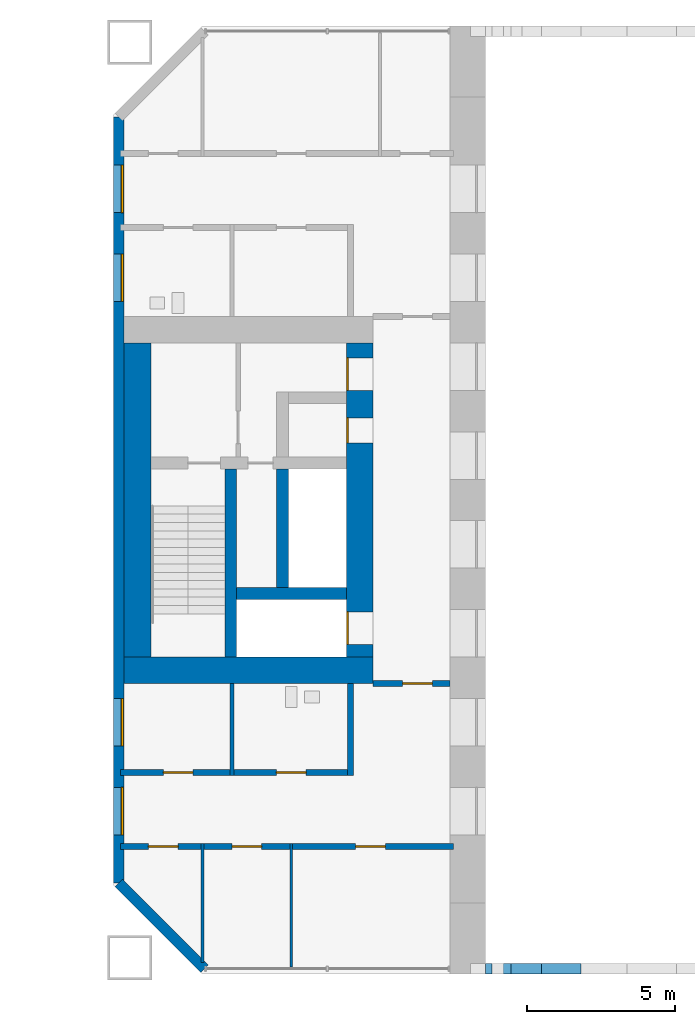
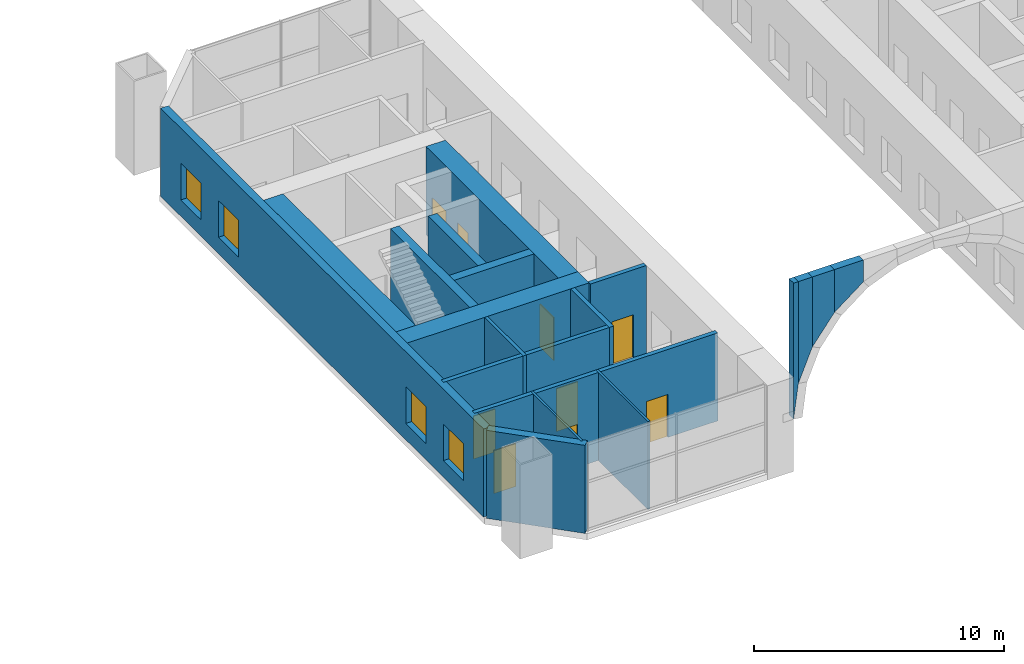
# One storey, part 14 of 21: 19 walls, 9 doors, 4 windows, 13 openings.
"""IFC4 building model written with IfcOpenShell, lengths in metres."""

from ifc_helpers import new_model, si_unit, direction, frame, frame_2d, origin, place, context, subcontext, project, spatial, polyline, rectangle, outline, extrude, material, layer, layer_set, type_object, element, fill, save


model = new_model("IFC4")

# Units and contexts
model_context = context("Model", 3, precision=1e-05, world=origin(), true_north=direction((0.0, 1.0)))
body_context = subcontext(model_context, "Body", "Model", "MODEL_VIEW")
ifc_project = project(units=[si_unit("LENGTHUNIT", "METRE"), si_unit("AREAUNIT", "SQUARE_METRE"), si_unit("VOLUMEUNIT", "CUBIC_METRE"), si_unit("PLANEANGLEUNIT", "RADIAN"), si_unit("MASSUNIT", "GRAM", prefix="KILO")], contexts=[model_context])

# Site, building, storey
site_placement = place(None, origin())
site = spatial("IfcSite", under=ifc_project, at=site_placement, CompositionType="ELEMENT")
building_placement = place(site_placement, origin())
building = spatial("IfcBuilding", under=site, at=building_placement, Name="Tuart Gate Housing", CompositionType="ELEMENT")
storey_placement = place(building_placement, frame((0.0, 0.0, 5.5)))
storey = spatial("IfcBuildingStorey", under=building, at=storey_placement, Name="L01", CompositionType="ELEMENT", Elevation=5.5)

# Walls
ifc_material_1 = material(Name="Gypsum board on steel studs", Category="steel")
ifc_layer_1 = layer(ifc_material_1, 0.14990234375)
ifc_layer_set_1 = layer_set([ifc_layer_1], Name="Bathroom wall 150")
wall_type_1 = type_object("IfcWallType", Name="Bathroom wall 150", PredefinedType="PLUMBINGWALL", material=ifc_layer_set_1)
wall_1_placement = place(storey_placement, frame((135.0, 60.699951171875, 0.0), z_axis=(0.0, 0.0, 1.0), x_axis=(0.0, 1.0, 0.0)))
element("IfcWall", 1, at=wall_1_placement, inside=storey, type_object=wall_type_1, Name="Bathroom wall 150", PredefinedType="PLUMBINGWALL", context=body_context, shape_type="SweptSolid", body=[
    extrude(rectangle(XDim=3.10009765625, YDim=0.14990234375, at=frame_2d((1.550048828125, 0.0))), origin(), (0.0, 0.0, 1.0), 4.300048828125),
])
ifc_material_2 = material(Name="Brick", Category="masonry")
ifc_layer_2 = layer(ifc_material_2, 0.360107421875)
ifc_layer_set_2 = layer_set([ifc_layer_2], Name="Brick pier and spandrel wall 360")
wall_type_2 = type_object("IfcWallType", Name="Brick pier and spandrel wall 360", PredefinedType="STANDARD", material=ifc_layer_set_2)
wall_2_placement = place(storey_placement, frame((131.179931640625, 57.07470703125, 0.0), z_axis=(0.0, 0.0, 1.0), x_axis=(0.707106781187, -0.707106781187, 0.0)))
element("IfcWall", 2, at=wall_2_placement, inside=storey, type_object=wall_type_2, Name="External wall B-SW L01", PredefinedType="STANDARD", context=body_context, shape_type="SweptSolid", body=[
    extrude(rectangle(XDim=4.09375, YDim=0.360107421875, at=frame_2d((2.046875, 0.0))), origin(), (0.0, 0.0, 1.0), 4.300048828125),
])

# Wall, openings, windows
wall_3_placement = place(storey_placement, frame((131.179931640625, 82.92529296875, 0.0), z_axis=(0.0, 0.0, 1.0), x_axis=(0.0, -1.0, 0.0)))
wall_3 = element("IfcWall", 3, at=wall_3_placement, inside=storey, type_object=wall_type_2, Name="External wall B-W L01", PredefinedType="STANDARD", context=body_context, shape_type="SweptSolid", body=[
    extrude(rectangle(XDim=25.850830078125, YDim=0.360107421875, at=frame_2d((12.92529296875, 0.0))), origin(), (0.0, 0.0, 1.0), 4.300048828125),
])
opening_1_placement = place(wall_3_placement, frame((1.62548828125, 0.0, 0.800048828125)))
opening_1 = element("IfcOpeningElement", 4, at=opening_1_placement, cuts=wall_3, Name="Opening W1", PredefinedType="OPENING", context=body_context, shape_type="SweptSolid", body=[
    extrude(rectangle(XDim=1.60009765625, YDim=1.800048828125, at=frame_2d((0.800048828125, 0.89990234375))), frame((0.0, 0.18994140625, 0.0), z_axis=(0.0, -1.0, 0.0), x_axis=(1.0, 0.0, 0.0)), (0.0, 0.0, 1.0), 0.380126953125),
])
opening_2_placement = place(wall_3_placement, frame((4.62548828125, 0.0, 0.800048828125)))
opening_2 = element("IfcOpeningElement", 5, at=opening_2_placement, cuts=wall_3, Name="Opening W1", PredefinedType="OPENING", context=body_context, shape_type="SweptSolid", body=[
    extrude(rectangle(XDim=1.60009765625, YDim=1.800048828125, at=frame_2d((0.800048828125, 0.89990234375))), frame((0.0, 0.18994140625, 0.0), z_axis=(0.0, -1.0, 0.0), x_axis=(1.0, 0.0, 0.0)), (0.0, 0.0, 1.0), 0.380126953125),
])
opening_3_placement = place(wall_3_placement, frame((19.62548828125, 0.0, 0.800048828125)))
opening_3 = element("IfcOpeningElement", 6, at=opening_3_placement, cuts=wall_3, Name="Opening W1", PredefinedType="OPENING", context=body_context, shape_type="SweptSolid", body=[
    extrude(rectangle(XDim=1.60009765625, YDim=1.800048828125, at=frame_2d((0.800048828125, 0.89990234375))), frame((0.0, 0.18994140625, 0.0), z_axis=(0.0, -1.0, 0.0), x_axis=(1.0, 0.0, 0.0)), (0.0, 0.0, 1.0), 0.380126953125),
])
opening_4_placement = place(wall_3_placement, frame((22.62548828125, 0.0, 0.800048828125)))
opening_4 = element("IfcOpeningElement", 7, at=opening_4_placement, cuts=wall_3, Name="Opening W1", PredefinedType="OPENING", context=body_context, shape_type="SweptSolid", body=[
    extrude(rectangle(XDim=1.60009765625, YDim=1.800048828125, at=frame_2d((0.800048828125, 0.89990234375))), frame((0.0, 0.18994140625, 0.0), z_axis=(0.0, -1.0, 0.0), x_axis=(1.0, 0.0, 0.0)), (0.0, 0.0, 1.0), 0.380126953125),
])
ifc_material_3 = material(Name="Aluminium frame with clear glass", Category="aluminium")
window_type = type_object("IfcWindowType", Name="Punched window 1600 x 1800", PartitioningType="SINGLE_PANEL", PredefinedType="WINDOW", material=ifc_material_3)
window_1_placement = place(opening_1_placement, origin())
window_1 = element("IfcWindow", 8, at=window_1_placement, inside=storey, type_object=window_type, Name="Window W1", OverallHeight=1.800048828125, OverallWidth=1.60009765625, PartitioningType="SINGLE_PANEL", PredefinedType="WINDOW", context=body_context, shape_type="SweptSolid", body=[
    extrude(rectangle(XDim=1.60009765625, YDim=1.800048828125, at=frame_2d((0.800048828125, 0.89990234375))), frame((0.0, 0.150146484375, 0.0), z_axis=(0.0, -1.0, 0.0), x_axis=(1.0, 0.0, 0.0)), (0.0, 0.0, 1.0), 0.06005859375),
])
fill(opening_1, window_1)
window_2_placement = place(opening_2_placement, origin())
window_2 = element("IfcWindow", 9, at=window_2_placement, inside=storey, type_object=window_type, Name="Window W1", OverallHeight=1.800048828125, OverallWidth=1.60009765625, PartitioningType="SINGLE_PANEL", PredefinedType="WINDOW", context=body_context, shape_type="SweptSolid", body=[
    extrude(rectangle(XDim=1.60009765625, YDim=1.800048828125, at=frame_2d((0.800048828125, 0.89990234375))), frame((0.0, 0.150146484375, 0.0), z_axis=(0.0, -1.0, 0.0), x_axis=(1.0, 0.0, 0.0)), (0.0, 0.0, 1.0), 0.06005859375),
])
fill(opening_2, window_2)
window_3_placement = place(opening_3_placement, origin())
window_3 = element("IfcWindow", 10, at=window_3_placement, inside=storey, type_object=window_type, Name="Window W1", OverallHeight=1.800048828125, OverallWidth=1.60009765625, PartitioningType="SINGLE_PANEL", PredefinedType="WINDOW", context=body_context, shape_type="SweptSolid", body=[
    extrude(rectangle(XDim=1.60009765625, YDim=1.800048828125, at=frame_2d((0.800048828125, 0.89990234375))), frame((0.0, 0.150146484375, 0.0), z_axis=(0.0, -1.0, 0.0), x_axis=(1.0, 0.0, 0.0)), (0.0, 0.0, 1.0), 0.06005859375),
])
fill(opening_3, window_3)
window_4_placement = place(opening_4_placement, origin())
window_4 = element("IfcWindow", 11, at=window_4_placement, inside=storey, type_object=window_type, Name="Window W1", OverallHeight=1.800048828125, OverallWidth=1.60009765625, PartitioningType="SINGLE_PANEL", PredefinedType="WINDOW", context=body_context, shape_type="SweptSolid", body=[
    extrude(rectangle(XDim=1.60009765625, YDim=1.800048828125, at=frame_2d((0.800048828125, 0.89990234375))), frame((0.0, 0.150146484375, 0.0), z_axis=(0.0, -1.0, 0.0), x_axis=(1.0, 0.0, 0.0)), (0.0, 0.0, 1.0), 0.06005859375),
])
fill(opening_4, window_4)

# Walls
wall_4_placement = place(storey_placement, frame((143.550048828125, 54.179931640625, 2.25), z_axis=(0.0, 0.0, 1.0), x_axis=(1.0, 0.0, 0.0)))
element("IfcWall", 12, at=wall_4_placement, inside=storey, type_object=wall_type_2, Name="Arch spandrel B-S", PredefinedType="STANDARD", context=body_context, shape_type="SweptSolid", body=[
    extrude(outline(polyline([(0.0, 0.0), (0.2197265625, 1.66943359375), (0.2197265625, 6.64990234375), (0.0, 6.64990234375), (0.0, 0.0)])), frame((0.0, 0.18017578125, 0.0), z_axis=(0.0, -1.0, 0.0), x_axis=(1.0, 0.0, 0.0)), (0.0, 0.0, 1.0), 0.360107421875),
])
wall_5_placement = place(storey_placement, frame((143.769775390625, 54.179931640625, 3.91943359375), z_axis=(0.0, 0.0, 1.0), x_axis=(1.0, 0.0, 0.0)))
element("IfcWall", 13, at=wall_5_placement, inside=storey, type_object=wall_type_2, Name="Arch spandrel B-S", PredefinedType="STANDARD", context=body_context, shape_type="SweptSolid", body=[
    extrude(outline(polyline([(0.0, 0.0), (0.644287109375, 1.5556640625), (0.644287109375, 4.98046875), (0.0, 4.98046875), (0.0, 0.0)])), frame((0.0, 0.18017578125, 0.0), z_axis=(0.0, -1.0, 0.0), x_axis=(1.0, 0.0, 0.0)), (0.0, 0.0, 1.0), 0.360107421875),
])
wall_6_placement = place(storey_placement, frame((144.4140625, 54.179931640625, 5.47509765625), z_axis=(0.0, 0.0, 1.0), x_axis=(1.0, 0.0, 0.0)))
element("IfcWall", 14, at=wall_6_placement, inside=storey, type_object=wall_type_2, Name="Arch spandrel B-S", PredefinedType="STANDARD", context=body_context, shape_type="SweptSolid", body=[
    extrude(outline(polyline([(0.0, 0.0), (1.025146484375, 1.335693359375), (1.025146484375, 3.4248046875), (0.0, 3.4248046875), (0.0, 0.0)])), frame((0.0, 0.18017578125, 0.0), z_axis=(0.0, -1.0, 0.0), x_axis=(1.0, 0.0, 0.0)), (0.0, 0.0, 1.0), 0.360107421875),
])
wall_7_placement = place(storey_placement, frame((145.439208984375, 54.179931640625, 6.810791015625), z_axis=(0.0, 0.0, 1.0), x_axis=(1.0, 0.0, 0.0)))
element("IfcWall", 15, at=wall_7_placement, inside=storey, type_object=wall_type_2, Name="Arch spandrel B-S", PredefinedType="STANDARD", context=body_context, shape_type="SweptSolid", body=[
    extrude(outline(polyline([(0.0, 0.0), (1.335693359375, 1.025146484375), (1.335693359375, 2.089111328125), (0.0, 2.089111328125), (0.0, 0.0)])), frame((0.0, 0.18017578125, 0.0), z_axis=(0.0, -1.0, 0.0), x_axis=(1.0, 0.0, 0.0)), (0.0, 0.0, 1.0), 0.360107421875),
])
ifc_material_4 = material(Name="Concrete C60", Category="concrete")
ifc_layer_3 = layer(ifc_material_4, 0.39990234375)
ifc_layer_set_3 = layer_set([ifc_layer_3], Name="Core wall 400 C60")
wall_type_3 = type_object("IfcWallType", Name="Core wall 400 C60", PredefinedType="SHEAR", material=ifc_layer_set_3)
wall_8_placement = place(storey_placement, frame((138.860107421875, 66.85009765625, 0.0), z_axis=(0.0, 0.0, 1.0), x_axis=(-1.0, 0.0, 0.0)))
element("IfcWall", 16, at=wall_8_placement, inside=storey, type_object=wall_type_3, Name="Core wall BG.1", PredefinedType="SHEAR", context=body_context, shape_type="SweptSolid", body=[
    extrude(rectangle(XDim=3.7001953125, YDim=0.39990234375, at=frame_2d((1.85009765625, 0.0))), origin(), (0.0, 0.0, 1.0), 4.300048828125),
])
wall_9_placement = place(storey_placement, frame((136.7099609375, 67.050048828125, 0.0), z_axis=(0.0, 0.0, 1.0), x_axis=(0.0, 1.0, 0.0)))
element("IfcWall", 17, at=wall_9_placement, inside=storey, type_object=wall_type_3, Name="Core wall BG.4", PredefinedType="SHEAR", context=body_context, shape_type="SweptSolid", body=[
    extrude(rectangle(XDim=4.0, YDim=0.39990234375, at=frame_2d((2.0, 0.0))), origin(), (0.0, 0.0, 1.0), 4.300048828125),
])
wall_10_placement = place(storey_placement, frame((134.9599609375, 64.699951171875, 0.0), z_axis=(0.0, 0.0, 1.0), x_axis=(0.0, 1.0, 0.0)))
element("IfcWall", 18, at=wall_10_placement, inside=storey, type_object=wall_type_3, Name="Core wall BG.7", PredefinedType="SHEAR", context=body_context, shape_type="SweptSolid", body=[
    extrude(rectangle(XDim=6.35009765625, YDim=0.39990234375, at=frame_2d((3.175048828125, 0.0))), origin(), (0.0, 0.0, 1.0), 4.300048828125),
])

# Wall, openings, doors
ifc_material_5 = material(Name="Concrete C60", Category="concrete")
ifc_layer_4 = layer(ifc_material_5, 0.89990234375)
ifc_layer_set_4 = layer_set([ifc_layer_4], Name="Core wall 900 C60")
wall_type_4 = type_object("IfcWallType", Name="Core wall 900 C60", PredefinedType="SHEAR", material=ifc_layer_set_4)
wall_11_placement = place(storey_placement, frame((139.31005859375, 64.699951171875, 0.0), z_axis=(0.0, 0.0, 1.0), x_axis=(0.0, 1.0, 0.0)))
wall_11 = element("IfcWall", 19, at=wall_11_placement, inside=storey, type_object=wall_type_4, Name="Core wall BG front", PredefinedType="SHEAR", context=body_context, shape_type="SweptSolid", body=[
    extrude(rectangle(XDim=10.60009765625, YDim=0.89990234375, at=frame_2d((5.300048828125, 0.0))), origin(), (0.0, 0.0, 1.0), 4.300048828125),
])
opening_5_placement = place(wall_11_placement, frame((0.425048828125, 0.0, 0.0)))
opening_5 = element("IfcOpeningElement", 20, at=opening_5_placement, cuts=wall_11, Name="Opening LD-FB1", PredefinedType="OPENING", context=body_context, shape_type="SweptSolid", body=[
    extrude(rectangle(XDim=1.10009765625, YDim=2.10009765625, at=frame_2d((0.550048828125, 1.050048828125))), frame((0.0, 0.4599609375, 0.0), z_axis=(0.0, -1.0, 0.0), x_axis=(1.0, 0.0, 0.0)), (0.0, 0.0, 1.0), 0.919921875),
])
opening_6_placement = place(wall_11_placement, frame((9.0, 0.0, 0.0)))
opening_6 = element("IfcOpeningElement", 21, at=opening_6_placement, cuts=wall_11, Name="Opening D3148", PredefinedType="OPENING", context=body_context, shape_type="SweptSolid", body=[
    extrude(rectangle(XDim=1.10009765625, YDim=2.10009765625, at=frame_2d((0.550048828125, 1.050048828125))), frame((0.0, 0.4599609375, 0.0), z_axis=(0.0, -1.0, 0.0), x_axis=(1.0, 0.0, 0.0)), (0.0, 0.0, 1.0), 0.919921875),
])
opening_7_placement = place(wall_11_placement, frame((7.22509765625, 0.0, 0.0)))
opening_7 = element("IfcOpeningElement", 22, at=opening_7_placement, cuts=wall_11, Name="Opening D3149", PredefinedType="OPENING", context=body_context, shape_type="SweptSolid", body=[
    extrude(rectangle(XDim=0.85009765625, YDim=2.10009765625, at=frame_2d((0.425048828125, 1.050048828125))), frame((0.0, 0.4599609375, 0.0), z_axis=(0.0, -1.0, 0.0), x_axis=(1.0, 0.0, 0.0)), (0.0, 0.0, 1.0), 0.919921875),
])
ifc_material_6 = material(Name="Stainless steel", Category="steel")
door_type_1 = type_object("IfcDoorType", Name="Landing door 1100 x 2100", OperationType="DOUBLE_DOOR_SLIDING", PredefinedType="DOOR", material=ifc_material_6)
door_1_placement = place(opening_5_placement, origin())
door_1 = element("IfcDoor", 23, at=door_1_placement, inside=storey, type_object=door_type_1, Name="Lift landing door FB1", OperationType="DOUBLE_DOOR_SLIDING", OverallHeight=2.10009765625, OverallWidth=1.10009765625, PredefinedType="DOOR", context=body_context, shape_type="SweptSolid", body=[
    extrude(rectangle(XDim=1.10009765625, YDim=2.10009765625, at=frame_2d((0.550048828125, 1.050048828125))), frame((0.0, 0.43505859375, 0.0), z_axis=(0.0, -1.0, 0.0), x_axis=(1.0, 0.0, 0.0)), (0.0, 0.0, 1.0), 0.050048828125),
])
fill(opening_5, door_1)
ifc_material_7 = material(Name="Steel fire door", Category="steel")
door_type_2 = type_object("IfcDoorType", Name="Lobby door 1100 x 2100", OperationType="SINGLE_SWING_LEFT", PredefinedType="DOOR", material=ifc_material_7)
door_2_placement = place(opening_6_placement, origin())
door_2 = element("IfcDoor", 24, at=door_2_placement, inside=storey, type_object=door_type_2, Name="Lobby entry door BG.EN", OperationType="SINGLE_SWING_LEFT", OverallHeight=2.10009765625, OverallWidth=1.10009765625, PredefinedType="DOOR", context=body_context, shape_type="SweptSolid", body=[
    extrude(rectangle(XDim=1.10009765625, YDim=2.10009765625, at=frame_2d((0.550048828125, 1.050048828125))), frame((0.0, 0.43505859375, 0.0), z_axis=(0.0, -1.0, 0.0), x_axis=(1.0, 0.0, 0.0)), (0.0, 0.0, 1.0), 0.050048828125),
])
fill(opening_6, door_2)
ifc_material_8 = material(Name="Steel fire door", Category="steel")
door_type_3 = type_object("IfcDoorType", Name="Service door 850 x 2100", OperationType="SINGLE_SWING_LEFT", PredefinedType="DOOR", material=ifc_material_8)
door_3_placement = place(opening_7_placement, origin())
door_3 = element("IfcDoor", 25, at=door_3_placement, inside=storey, type_object=door_type_3, Name="Service room door BG.T1", OperationType="SINGLE_SWING_LEFT", OverallHeight=2.10009765625, OverallWidth=0.85009765625, PredefinedType="DOOR", context=body_context, shape_type="SweptSolid", body=[
    extrude(rectangle(XDim=0.85009765625, YDim=2.10009765625, at=frame_2d((0.425048828125, 1.050048828125))), frame((0.0, 0.43505859375, 0.0), z_axis=(0.0, -1.0, 0.0), x_axis=(1.0, 0.0, 0.0)), (0.0, 0.0, 1.0), 0.050048828125),
])
fill(opening_7, door_3)

# Walls
wall_12_placement = place(storey_placement, frame((131.81005859375, 64.699951171875, 0.0), z_axis=(0.0, 0.0, 1.0), x_axis=(0.0, 1.0, 0.0)))
element("IfcWall", 26, at=wall_12_placement, inside=storey, type_object=wall_type_4, Name="Core wall BG back", PredefinedType="SHEAR", context=body_context, shape_type="SweptSolid", body=[
    extrude(rectangle(XDim=10.60009765625, YDim=0.89990234375, at=frame_2d((5.300048828125, 0.0))), origin(), (0.0, 0.0, 1.0), 4.300048828125),
])
wall_13_placement = place(storey_placement, frame((139.760009765625, 64.25, 0.0), z_axis=(0.0, 0.0, 1.0), x_axis=(-1.0, 0.0, 0.0)))
element("IfcWall", 27, at=wall_13_placement, inside=storey, type_object=wall_type_4, Name="Core wall BG south", PredefinedType="SHEAR", context=body_context, shape_type="SweptSolid", body=[
    extrude(rectangle(XDim=8.39990234375, YDim=0.89990234375, at=frame_2d((4.199951171875, 0.0))), origin(), (0.0, 0.0, 1.0), 4.300048828125),
])

# Wall, openings, doors
ifc_material_9 = material(Name="Concrete masonry 15 MPa", Category="masonry")
ifc_layer_5 = layer(ifc_material_9, 0.199951171875)
ifc_layer_set_5 = layer_set([ifc_layer_5], Name="Corridor wall masonry 200")
wall_type_5 = type_object("IfcWallType", Name="Corridor wall masonry 200", PredefinedType="PARTITIONING", material=ifc_layer_set_5)
wall_14_placement = place(storey_placement, frame((131.239990234375, 58.300048828125, 0.0), z_axis=(0.0, 0.0, 1.0), x_axis=(1.0, 0.0, 0.0)))
wall_14 = element("IfcWall", 28, at=wall_14_placement, inside=storey, type_object=wall_type_5, Name="Corridor wall masonry 200", PredefinedType="PARTITIONING", context=body_context, shape_type="SweptSolid", body=[
    extrude(rectangle(XDim=11.22998046875, YDim=0.199951171875, at=frame_2d((5.614990234375, 0.0))), origin(), (0.0, 0.0, 1.0), 4.300048828125),
])
opening_8_placement = place(wall_14_placement, frame((0.93994140625, 0.0, 0.0)))
opening_8 = element("IfcOpeningElement", 29, at=opening_8_placement, cuts=wall_14, Name="Opening D3170", PredefinedType="OPENING", context=body_context, shape_type="SweptSolid", body=[
    extrude(rectangle(XDim=1.0, YDim=2.10009765625, at=frame_2d((0.5, 1.050048828125))), frame((0.0, 0.10986328125, 0.0), z_axis=(0.0, -1.0, 0.0), x_axis=(1.0, 0.0, 0.0)), (0.0, 0.0, 1.0), 0.219970703125),
])
opening_9_placement = place(wall_14_placement, frame((3.760009765625, 0.0, 0.0)))
opening_9 = element("IfcOpeningElement", 30, at=opening_9_placement, cuts=wall_14, Name="Opening D3171", PredefinedType="OPENING", context=body_context, shape_type="SweptSolid", body=[
    extrude(rectangle(XDim=1.0, YDim=2.10009765625, at=frame_2d((0.5, 1.050048828125))), frame((0.0, 0.10986328125, 0.0), z_axis=(0.0, -1.0, 0.0), x_axis=(1.0, 0.0, 0.0)), (0.0, 0.0, 1.0), 0.219970703125),
])
opening_10_placement = place(wall_14_placement, frame((7.93505859375, 0.0, 0.0)))
opening_10 = element("IfcOpeningElement", 31, at=opening_10_placement, cuts=wall_14, Name="Opening D3172", PredefinedType="OPENING", context=body_context, shape_type="SweptSolid", body=[
    extrude(rectangle(XDim=1.0, YDim=2.10009765625, at=frame_2d((0.5, 1.050048828125))), frame((0.0, 0.10986328125, 0.0), z_axis=(0.0, -1.0, 0.0), x_axis=(1.0, 0.0, 0.0)), (0.0, 0.0, 1.0), 0.219970703125),
])
ifc_material_10 = material(Name="Timber door leaf in steel frame", Category="steel")
door_type_4 = type_object("IfcDoorType", Name="Fire door 1000 RH", OperationType="SINGLE_SWING_RIGHT", PredefinedType="DOOR", material=ifc_material_10)
door_4_placement = place(opening_8_placement, frame((1.0, 0.0, 0.0), z_axis=(0.0, 0.0, 1.0), x_axis=(-1.0, 0.0, 0.0)))
door_4 = element("IfcDoor", 32, at=door_4_placement, inside=storey, type_object=door_type_4, Name="Fire door 1000", OperationType="SINGLE_SWING_RIGHT", OverallHeight=2.10009765625, OverallWidth=1.0, PredefinedType="DOOR", context=body_context, shape_type="SweptSolid", body=[
    extrude(rectangle(XDim=1.0, YDim=2.10009765625, at=frame_2d((0.5, 1.050048828125))), frame((0.0, 0.025146484375, 0.0), z_axis=(0.0, -1.0, 0.0), x_axis=(1.0, 0.0, 0.0)), (0.0, 0.0, 1.0), 0.050048828125),
])
fill(opening_8, door_4)
door_5_placement = place(opening_9_placement, frame((1.0, 0.0, 0.0), z_axis=(0.0, 0.0, 1.0), x_axis=(-1.0, 0.0, 0.0)))
door_5 = element("IfcDoor", 33, at=door_5_placement, inside=storey, type_object=door_type_4, Name="Fire door 1000", OperationType="SINGLE_SWING_RIGHT", OverallHeight=2.10009765625, OverallWidth=1.0, PredefinedType="DOOR", context=body_context, shape_type="SweptSolid", body=[
    extrude(rectangle(XDim=1.0, YDim=2.10009765625, at=frame_2d((0.5, 1.050048828125))), frame((0.0, 0.025146484375, 0.0), z_axis=(0.0, -1.0, 0.0), x_axis=(1.0, 0.0, 0.0)), (0.0, 0.0, 1.0), 0.050048828125),
])
fill(opening_9, door_5)
door_6_placement = place(opening_10_placement, frame((1.0, 0.0, 0.0), z_axis=(0.0, 0.0, 1.0), x_axis=(-1.0, 0.0, 0.0)))
door_6 = element("IfcDoor", 34, at=door_6_placement, inside=storey, type_object=door_type_4, Name="Fire door 1000", OperationType="SINGLE_SWING_RIGHT", OverallHeight=2.10009765625, OverallWidth=1.0, PredefinedType="DOOR", context=body_context, shape_type="SweptSolid", body=[
    extrude(rectangle(XDim=1.0, YDim=2.10009765625, at=frame_2d((0.5, 1.050048828125))), frame((0.0, 0.025146484375, 0.0), z_axis=(0.0, -1.0, 0.0), x_axis=(1.0, 0.0, 0.0)), (0.0, 0.0, 1.0), 0.050048828125),
])
fill(opening_10, door_6)

wall_15_placement = place(storey_placement, frame((131.239990234375, 60.800048828125, 0.0), z_axis=(0.0, 0.0, 1.0), x_axis=(1.0, 0.0, 0.0)))
wall_15 = element("IfcWall", 35, at=wall_15_placement, inside=storey, type_object=wall_type_5, Name="Corridor wall masonry 200", PredefinedType="PARTITIONING", context=body_context, shape_type="SweptSolid", body=[
    extrude(rectangle(XDim=7.860107421875, YDim=0.199951171875, at=frame_2d((3.93017578125, 0.0))), origin(), (0.0, 0.0, 1.0), 4.300048828125),
])
opening_11_placement = place(wall_15_placement, frame((1.43994140625, 0.0, 0.0)))
opening_11 = element("IfcOpeningElement", 36, at=opening_11_placement, cuts=wall_15, Name="Opening D3166", PredefinedType="OPENING", context=body_context, shape_type="SweptSolid", body=[
    extrude(rectangle(XDim=1.0, YDim=2.10009765625, at=frame_2d((0.5, 1.050048828125))), frame((0.0, 0.10986328125, 0.0), z_axis=(0.0, -1.0, 0.0), x_axis=(1.0, 0.0, 0.0)), (0.0, 0.0, 1.0), 0.219970703125),
])
opening_12_placement = place(wall_15_placement, frame((5.260009765625, 0.0, 0.0)))
opening_12 = element("IfcOpeningElement", 37, at=opening_12_placement, cuts=wall_15, Name="Opening D3167", PredefinedType="OPENING", context=body_context, shape_type="SweptSolid", body=[
    extrude(rectangle(XDim=1.0, YDim=2.10009765625, at=frame_2d((0.5, 1.050048828125))), frame((0.0, 0.10986328125, 0.0), z_axis=(0.0, -1.0, 0.0), x_axis=(1.0, 0.0, 0.0)), (0.0, 0.0, 1.0), 0.219970703125),
])
ifc_material_11 = material(Name="Timber door leaf in steel frame", Category="steel")
door_type_5 = type_object("IfcDoorType", Name="Fire door 1000", OperationType="SINGLE_SWING_LEFT", PredefinedType="DOOR", material=ifc_material_11)
door_7_placement = place(opening_11_placement, origin())
door_7 = element("IfcDoor", 38, at=door_7_placement, inside=storey, type_object=door_type_5, Name="Fire door 1000", OperationType="SINGLE_SWING_LEFT", OverallHeight=2.10009765625, OverallWidth=1.0, PredefinedType="DOOR", context=body_context, shape_type="SweptSolid", body=[
    extrude(rectangle(XDim=1.0, YDim=2.10009765625, at=frame_2d((0.5, 1.050048828125))), frame((0.0, 0.02490234375, 0.0), z_axis=(0.0, -1.0, 0.0), x_axis=(1.0, 0.0, 0.0)), (0.0, 0.0, 1.0), 0.050048828125),
])
fill(opening_11, door_7)
door_8_placement = place(opening_12_placement, origin())
door_8 = element("IfcDoor", 39, at=door_8_placement, inside=storey, type_object=door_type_5, Name="Fire door 1000", OperationType="SINGLE_SWING_LEFT", OverallHeight=2.10009765625, OverallWidth=1.0, PredefinedType="DOOR", context=body_context, shape_type="SweptSolid", body=[
    extrude(rectangle(XDim=1.0, YDim=2.10009765625, at=frame_2d((0.5, 1.050048828125))), frame((0.0, 0.02490234375, 0.0), z_axis=(0.0, -1.0, 0.0), x_axis=(1.0, 0.0, 0.0)), (0.0, 0.0, 1.0), 0.050048828125),
])
fill(opening_12, door_8)

# Wall
wall_16_placement = place(storey_placement, frame((139.0, 60.699951171875, 0.0), z_axis=(0.0, 0.0, 1.0), x_axis=(0.0, 1.0, 0.0)))
element("IfcWall", 40, at=wall_16_placement, inside=storey, type_object=wall_type_5, Name="Corridor wall masonry 200", PredefinedType="PARTITIONING", context=body_context, shape_type="SweptSolid", body=[
    extrude(rectangle(XDim=3.10009765625, YDim=0.199951171875, at=frame_2d((1.550048828125, 0.0))), origin(), (0.0, 0.0, 1.0), 4.300048828125),
])

# Wall, opening, door
ifc_material_12 = material(Name="Concrete masonry 15 MPa", Category="masonry")
ifc_layer_6 = layer(ifc_material_12, 0.199951171875)
ifc_layer_set_6 = layer_set([ifc_layer_6], Name="Enclosure wall masonry 200")
wall_type_6 = type_object("IfcWallType", Name="Enclosure wall masonry 200", PredefinedType="PARTITIONING", material=ifc_layer_set_6)
wall_17_placement = place(storey_placement, frame((139.760009765625, 63.800048828125, 0.0), z_axis=(0.0, 0.0, 1.0), x_axis=(1.0, 0.0, 0.0)))
wall_17 = element("IfcWall", 41, at=wall_17_placement, inside=storey, type_object=wall_type_6, Name="Enclosure wall masonry 200", PredefinedType="PARTITIONING", context=body_context, shape_type="SweptSolid", body=[
    extrude(rectangle(XDim=2.590087890625, YDim=0.199951171875, at=frame_2d((1.294921875, 0.0))), origin(), (0.0, 0.0, 1.0), 4.300048828125),
])
opening_13_placement = place(wall_17_placement, frame((1.0, 0.0, 0.0)))
opening_13 = element("IfcOpeningElement", 42, at=opening_13_placement, cuts=wall_17, Name="Opening D3164", PredefinedType="OPENING", context=body_context, shape_type="SweptSolid", body=[
    extrude(rectangle(XDim=1.0, YDim=2.10009765625, at=frame_2d((0.5, 1.050048828125))), frame((0.0, 0.10986328125, 0.0), z_axis=(0.0, -1.0, 0.0), x_axis=(1.0, 0.0, 0.0)), (0.0, 0.0, 1.0), 0.219970703125),
])
ifc_material_13 = material(Name="Timber door leaf in steel frame", Category="steel")
door_type_6 = type_object("IfcDoorType", Name="Lobby door 1000", OperationType="SINGLE_SWING_LEFT", PredefinedType="DOOR", material=ifc_material_13)
door_9_placement = place(opening_13_placement, frame((1.0, 0.0, 0.0), z_axis=(0.0, 0.0, 1.0), x_axis=(-1.0, 0.0, 0.0)))
door_9 = element("IfcDoor", 43, at=door_9_placement, inside=storey, type_object=door_type_6, Name="Lobby door 1000", OperationType="SINGLE_SWING_LEFT", OverallHeight=2.10009765625, OverallWidth=1.0, PredefinedType="DOOR", context=body_context, shape_type="SweptSolid", body=[
    extrude(rectangle(XDim=1.0, YDim=2.10009765625, at=frame_2d((0.5, 1.050048828125))), frame((0.0, 0.025146484375, 0.0), z_axis=(0.0, -1.0, 0.0), x_axis=(1.0, 0.0, 0.0)), (0.0, 0.0, 1.0), 0.050048828125),
])
fill(opening_13, door_9)

# Walls
ifc_material_14 = material(Name="Gypsum board on steel studs", Category="steel")
ifc_layer_7 = layer(ifc_material_14, 0.10009765625)
ifc_layer_set_7 = layer_set([ifc_layer_7], Name="Partition 100")
wall_type_7 = type_object("IfcWallType", Name="Partition 100", PredefinedType="PARTITIONING", material=ifc_layer_set_7)
wall_18_placement = place(storey_placement, frame((134.0, 54.388916015625, 0.0), z_axis=(0.0, 0.0, 1.0), x_axis=(0.0, 1.0, 0.0)))
element("IfcWall", 44, at=wall_18_placement, inside=storey, type_object=wall_type_7, Name="Partition 100", PredefinedType="PARTITIONING", context=body_context, shape_type="SweptSolid", body=[
    extrude(rectangle(XDim=4.010986328125, YDim=0.10009765625, at=frame_2d((2.00537109375, 0.0))), origin(), (0.0, 0.0, 1.0), 4.300048828125),
])
wall_19_placement = place(storey_placement, frame((137.0, 54.239990234375, 0.0), z_axis=(0.0, 0.0, 1.0), x_axis=(0.0, 1.0, 0.0)))
element("IfcWall", 45, at=wall_19_placement, inside=storey, type_object=wall_type_7, Name="Partition 100", PredefinedType="PARTITIONING", context=body_context, shape_type="SweptSolid", body=[
    extrude(rectangle(XDim=4.159912109375, YDim=0.10009765625, at=frame_2d((2.080078125, 0.0))), origin(), (0.0, 0.0, 1.0), 4.300048828125),
])

save(model, "model.ifc")
